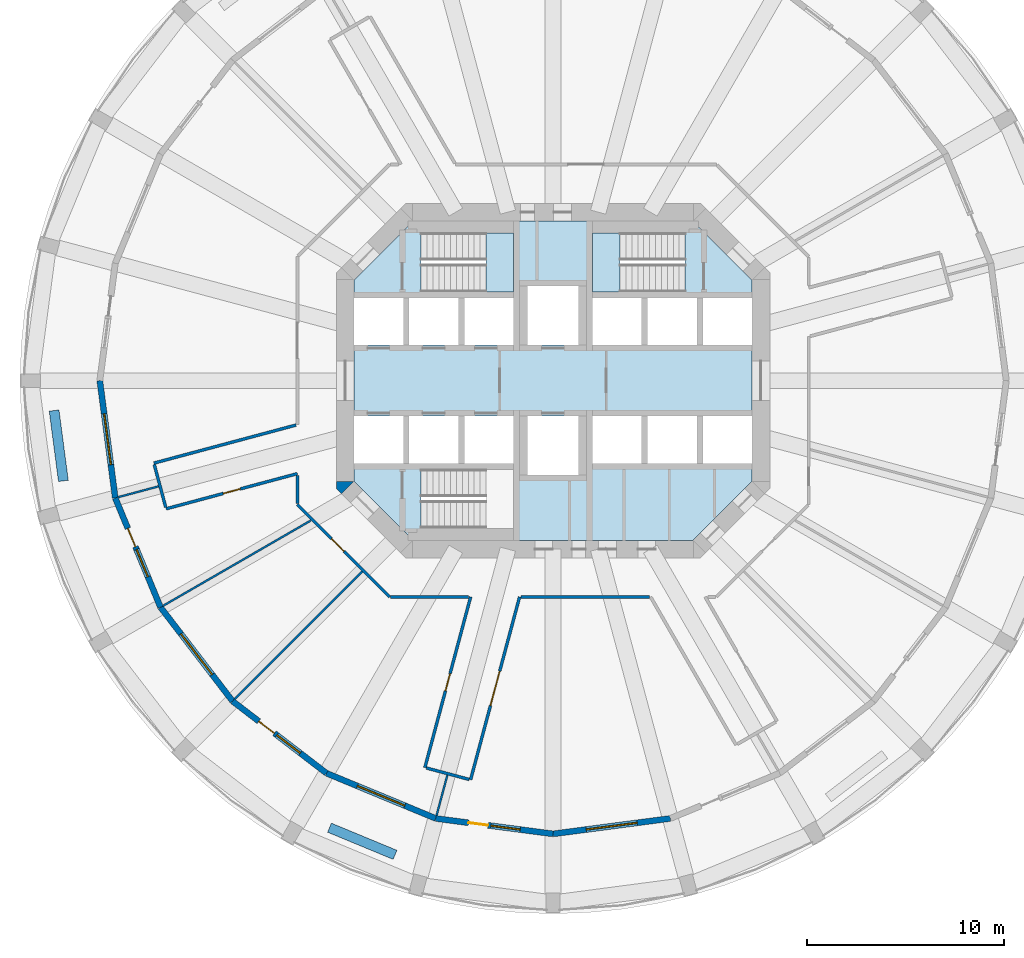
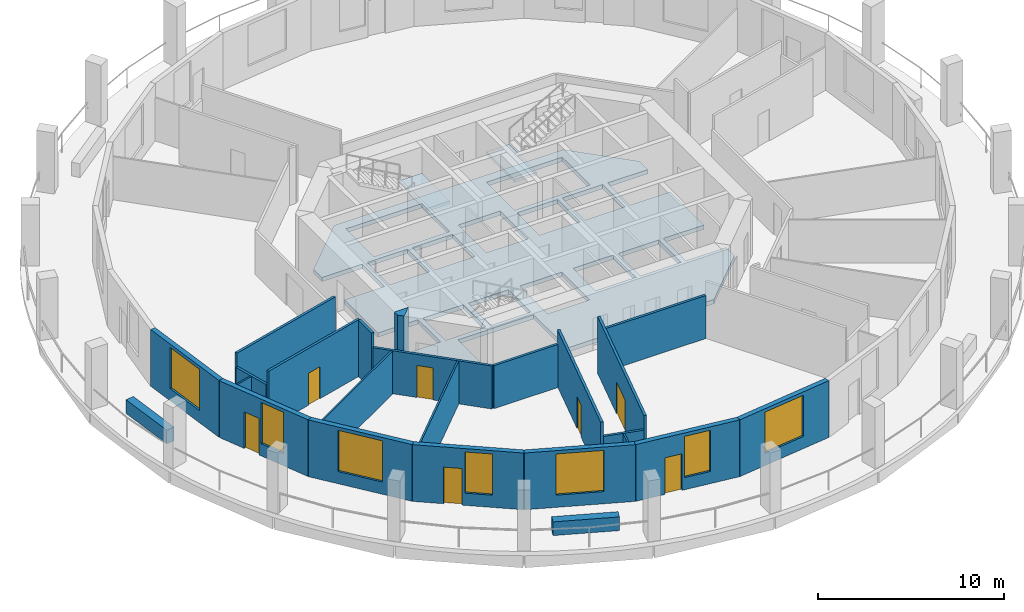
# One storey, part 2 of 9: 24 walls, 7 doors, 7 windows, 3 slabs, 14 openings, 2 elements without a shape of their own.
"""IFC4 building model written with IfcOpenShell, lengths in metres."""

from ifc_helpers import new_model, si_unit, direction, frame, frame_2d, origin, place, context, subcontext, project, spatial, polyline, rectangle, outline, extrude, material, layer, layer_set, type_object, element, fill, aggregate, save


model = new_model("IFC4")

# Units and contexts
model_context = context("Model", 3, precision=1e-05, world=origin(), true_north=direction((0.0, 1.0)))
body_context = subcontext(model_context, "Body", "Model", "MODEL_VIEW")
ifc_project = project(units=[si_unit("LENGTHUNIT", "METRE"), si_unit("AREAUNIT", "SQUARE_METRE"), si_unit("VOLUMEUNIT", "CUBIC_METRE"), si_unit("PLANEANGLEUNIT", "RADIAN"), si_unit("MASSUNIT", "GRAM", prefix="KILO")], contexts=[model_context])

# Site, building, storey
site_placement = place(None, origin())
site = spatial("IfcSite", under=ifc_project, at=site_placement, CompositionType="ELEMENT")
building_placement = place(site_placement, origin())
building = spatial("IfcBuilding", under=site, at=building_placement, Name="Torre Triforio", CompositionType="ELEMENT")
storey_placement = place(building_placement, frame((0.0, 0.0, 63.0)))
storey = spatial("IfcBuildingStorey", under=building, at=storey_placement, Name="L13", CompositionType="ELEMENT", Elevation=63.0)

# Slab
ifc_material_1 = material(Name="Concrete C60", Category="concrete")
ifc_layer_1 = layer(ifc_material_1, 0.280029296875)
ifc_layer_set_1 = layer_set([ifc_layer_1], Name="Concrete C60")
slab_type_1 = type_object("IfcSlabType", Name="Core floor slab 280 mm C60 REI 120", PredefinedType="FLOOR", material=ifc_layer_set_1)
slab_1_placement = place(storey_placement, frame((0.0, 0.0, -0.280029296875)))
element("IfcSlab", 1, at=slab_1_placement, inside=storey, type_object=slab_type_1, Name="Core floor slab", PredefinedType="FLOOR", context=body_context, shape_type="SweptSolid", body=[
    extrude(outline(polyline([(10.10009765625, -5.10009765625), (7.10009765625, -8.10009765625), (-7.10009765625, -8.10009765625), (-10.10009765625, -5.10009765625), (-10.10009765625, -4.199951171875), (-7.60009765625, -4.199951171875), (-7.60009765625, -1.800048828125), (-10.10009765625, -1.800048828125), (-10.10009765625, 1.800048828125), (-7.60009765625, 1.800048828125), (-7.60009765625, 4.199951171875), (-10.10009765625, 4.199951171875), (-10.10009765625, 5.10009765625), (-7.10009765625, 8.10009765625), (7.10009765625, 8.10009765625), (10.10009765625, 5.10009765625), (10.10009765625, 4.199951171875), (7.60009765625, 4.199951171875), (7.60009765625, 1.800048828125), (10.10009765625, 1.800048828125), (10.10009765625, -1.800048828125), (7.60009765625, -1.800048828125), (7.60009765625, -4.199951171875), (10.10009765625, -4.199951171875), (10.10009765625, -5.10009765625)]), holes=[polyline([(-2.0, -4.5), (-6.696044921875, -4.5), (-6.696044921875, -7.5), (-2.0, -7.5), (-2.0, -4.5)]), polyline([(-4.800048828125, -1.800048828125), (-7.300048828125, -1.800048828125), (-7.300048828125, -4.199951171875), (-4.800048828125, -4.199951171875), (-4.800048828125, -1.800048828125)]), polyline([(-2.0, -1.800048828125), (-4.5, -1.800048828125), (-4.5, -4.199951171875), (-2.0, -4.199951171875), (-2.0, -1.800048828125)]), polyline([(-4.800048828125, 4.199951171875), (-7.300048828125, 4.199951171875), (-7.300048828125, 1.800048828125), (-4.800048828125, 1.800048828125), (-4.800048828125, 4.199951171875)]), polyline([(-2.0, 4.199951171875), (-4.5, 4.199951171875), (-4.5, 1.800048828125), (-2.0, 1.800048828125), (-2.0, 4.199951171875)]), polyline([(1.300048828125, 4.800048828125), (-1.300048828125, 4.800048828125), (-1.300048828125, 1.800048828125), (1.300048828125, 1.800048828125), (1.300048828125, 4.800048828125)]), polyline([(-2.0, 7.5), (-6.696044921875, 7.5), (-6.696044921875, 4.5), (-2.0, 4.5), (-2.0, 7.5)]), polyline([(1.300048828125, -1.800048828125), (-1.300048828125, -1.800048828125), (-1.300048828125, -4.800048828125), (1.300048828125, -4.800048828125), (1.300048828125, -1.800048828125)]), polyline([(4.5, -1.800048828125), (2.0, -1.800048828125), (2.0, -4.199951171875), (4.5, -4.199951171875), (4.5, -1.800048828125)]), polyline([(7.300048828125, -1.800048828125), (4.800048828125, -1.800048828125), (4.800048828125, -4.199951171875), (7.300048828125, -4.199951171875), (7.300048828125, -1.800048828125)]), polyline([(4.5, 4.199951171875), (2.0, 4.199951171875), (2.0, 1.800048828125), (4.5, 1.800048828125), (4.5, 4.199951171875)]), polyline([(7.300048828125, 4.199951171875), (4.800048828125, 4.199951171875), (4.800048828125, 1.800048828125), (7.300048828125, 1.800048828125), (7.300048828125, 4.199951171875)]), polyline([(6.696044921875, 4.5), (6.696044921875, 7.5), (2.0, 7.5), (2.0, 4.5), (6.696044921875, 4.5)])]), origin(), (0.0, 0.0, 1.0), 0.280029296875),
])

# Stair, slab
ifc_material_2 = material(Name="Concrete C40", Category="concrete")
stair_type = type_object("IfcStairType", Name="STAIR HALF-TURN", PredefinedType="HALF_TURN_STAIR", material=ifc_material_2)
stair_1_placement = place(storey_placement, origin())
stair_1 = element("IfcStair", 2, at=stair_1_placement, inside=storey, type_object=stair_type, Name="Exit stair 1", PredefinedType="HALF_TURN_STAIR")
ifc_layer_2 = layer(ifc_material_2, 0.199951171875)
ifc_layer_set_2 = layer_set([ifc_layer_2], Name="Concrete C40")
slab_type_2 = type_object("IfcSlabType", Name="STAIR LANDING 200", PredefinedType="LANDING", material=ifc_layer_set_2)
slab_2_placement = place(storey_placement, frame((0.0, 0.0, 1.800048828125)))
slab_2 = element("IfcSlab", 3, at=slab_2_placement, type_object=slab_type_2, Name="ST1 landing 1", PredefinedType="LANDING", context=body_context, shape_type="SweptSolid", body=[
    extrude(outline(polyline([(-2.0, 4.5), (-2.0, 7.5), (-3.39990234375, 7.5), (-3.39990234375, 4.5), (-2.0, 4.5)])), origin(), (0.0, 0.0, 1.0), 0.199951171875),
])
aggregate(stair_1, [slab_2])

stair_2_placement = place(storey_placement, origin())
stair_2 = element("IfcStair", 4, at=stair_2_placement, inside=storey, type_object=stair_type, Name="Exit stair 2", PredefinedType="HALF_TURN_STAIR")
slab_3_placement = place(storey_placement, frame((0.0, 0.0, 1.800048828125)))
slab_3 = element("IfcSlab", 5, at=slab_3_placement, type_object=slab_type_2, Name="ST2 landing 1", PredefinedType="LANDING", context=body_context, shape_type="SweptSolid", body=[
    extrude(outline(polyline([(3.39990234375, 4.5), (3.39990234375, 7.5), (2.0, 7.5), (2.0, 4.5), (3.39990234375, 4.5)])), origin(), (0.0, 0.0, 1.0), 0.199951171875),
])
aggregate(stair_2, [slab_3])

# Walls
ifc_layer_3 = layer(ifc_material_1, 0.89990234375)
ifc_layer_set_3 = layer_set([ifc_layer_3], Name="Concrete C60")
wall_type_1 = type_object("IfcWallType", Name="Core wall 900 mm C60 EI 120", PredefinedType="SHEAR", material=ifc_layer_set_3)
wall_1_placement = place(storey_placement, frame((0.0, 0.0, -0.280029296875)))
element("IfcWall", 6, at=wall_1_placement, inside=storey, type_object=wall_type_1, Name="Core wall", PredefinedType="SHEAR", context=body_context, shape_type="SweptSolid", body=[
    extrude(outline(polyline([(-11.0, -5.472900390625), (-11.0, -5.1298828125), (-10.1298828125, -5.1298828125), (-10.736328125, -5.736328125), (-11.0, -5.472900390625)])), origin(), (0.0, 0.0, 1.0), 4.0),
])
ifc_material_3 = material(Name="Plasterboard on metal studs")
ifc_layer_4 = layer(ifc_material_3, 0.14990234375)
ifc_layer_set_4 = layer_set([ifc_layer_4], Name="Plasterboard on metal studs")
wall_type_2 = type_object("IfcWallType", Name="Corridor and tenancy wall 150 mm EI 60", PredefinedType="PARTITIONING", material=ifc_layer_set_4)
wall_2_placement = place(storey_placement, frame((-19.65380859375, -6.430908203125, 0.0), z_axis=(0.0, 0.0, 1.0), x_axis=(-0.258891558609, 0.965906393436, 0.0)))
element("IfcWall", 7, at=wall_2_placement, inside=storey, type_object=wall_type_2, Name="Partition 1", PredefinedType="PARTITIONING", context=body_context, shape_type="SweptSolid", body=[
    extrude(rectangle(XDim=2.25, YDim=0.14990234375, at=frame_2d((1.125, 0.0))), origin(), (0.0, 0.0, 1.0), 2.820068359375),
])
wall_3_placement = place(storey_placement, frame((-20.255615234375, -4.185302734375, 0.0), z_axis=(0.0, 0.0, 1.0), x_axis=(0.965924840231, 0.258822725092, 0.0)))
element("IfcWall", 8, at=wall_3_placement, inside=storey, type_object=wall_type_2, Name="Partition 2", PredefinedType="PARTITIONING", context=body_context, shape_type="SweptSolid", body=[
    extrude(rectangle(XDim=7.465087890625, YDim=0.14990234375, at=frame_2d((3.732421875, 0.0))), origin(), (0.0, 0.0, 1.0), 3.719970703125),
])
wall_4_placement = place(storey_placement, frame((4.8857421875, -10.97509765625, 0.0), z_axis=(0.0, 0.0, 1.0), x_axis=(-1.0, 0.0, 0.0)))
element("IfcWall", 9, at=wall_4_placement, inside=storey, type_object=wall_type_2, Name="Partition 21", PredefinedType="PARTITIONING", context=body_context, shape_type="SweptSolid", body=[
    extrude(rectangle(XDim=6.51171875, YDim=0.14990234375, at=frame_2d((3.255859375, 0.0))), origin(), (0.0, 0.0, 1.0), 2.820068359375),
])

# Wall, opening, door
wall_5_placement = place(storey_placement, frame((-1.698486328125, -10.97509765625, 0.0), z_axis=(0.0, 0.0, 1.0), x_axis=(-0.258829650889, -0.965922984415, 0.0)))
wall_5 = element("IfcWall", 10, at=wall_5_placement, inside=storey, type_object=wall_type_2, Name="Partition 22", PredefinedType="PARTITIONING", context=body_context, shape_type="SweptSolid", body=[
    extrude(rectangle(XDim=9.60791015625, YDim=0.14990234375, at=frame_2d((4.803955078125, 0.0))), origin(), (0.0, 0.0, 1.0), 3.719970703125),
])
opening_1_placement = place(wall_5_placement, frame((3.904052734375, 0.0, 0.0)))
opening_1 = element("IfcOpeningElement", 11, at=opening_1_placement, cuts=wall_5, Name="Opening N4-05", PredefinedType="OPENING", context=body_context, shape_type="SweptSolid", body=[
    extrude(rectangle(XDim=1.800048828125, YDim=2.10009765625, at=frame_2d((0.89990234375, 1.050048828125))), frame((0.0, 0.0849609375, 0.0), z_axis=(0.0, -1.0, 0.0), x_axis=(1.0, 0.0, 0.0)), (0.0, 0.0, 1.0), 0.169921875),
])
ifc_material_4 = material(Name="Timber", Category="wood")
door_type_1 = type_object("IfcDoorType", Name="Door 1800 x 2100 double leaf EI 30", OperationType="DOUBLE_DOOR_SINGLE_SWING", PredefinedType="DOOR", material=ifc_material_4)
door_1_placement = place(opening_1_placement, origin())
door_1 = element("IfcDoor", 12, at=door_1_placement, inside=storey, type_object=door_type_1, Name="Door N4-05", OperationType="DOUBLE_DOOR_SINGLE_SWING", OverallHeight=2.10009765625, OverallWidth=1.800048828125, PredefinedType="DOOR", context=body_context, shape_type="SweptSolid", body=[
    extrude(rectangle(XDim=1.800048828125, YDim=2.10009765625, at=frame_2d((0.89990234375, 1.050048828125))), frame((0.0, 0.02490234375, 0.0), z_axis=(0.0, -1.0, 0.0), x_axis=(1.0, 0.0, 0.0)), (0.0, 0.0, 1.0), 0.050048828125),
])
fill(opening_1, door_1)

# Wall
wall_6_placement = place(storey_placement, frame((-4.257568359375, -20.236328125, 0.0), z_axis=(0.0, 0.0, 1.0), x_axis=(-0.965906393436, 0.258891558609, 0.0)))
element("IfcWall", 13, at=wall_6_placement, inside=storey, type_object=wall_type_2, Name="Partition 23", PredefinedType="PARTITIONING", context=body_context, shape_type="SweptSolid", body=[
    extrude(rectangle(XDim=2.25, YDim=0.14990234375, at=frame_2d((1.125, 0.0))), origin(), (0.0, 0.0, 1.0), 2.820068359375),
])

# Wall, opening, door
wall_7_placement = place(storey_placement, frame((-6.50341796875, -19.634521484375, 0.0), z_axis=(0.0, 0.0, 1.0), x_axis=(0.258821842436, 0.965925076742, 0.0)))
wall_7 = element("IfcWall", 14, at=wall_7_placement, inside=storey, type_object=wall_type_2, Name="Partition 24", PredefinedType="PARTITIONING", context=body_context, shape_type="SweptSolid", body=[
    extrude(rectangle(XDim=8.96484375, YDim=0.14990234375, at=frame_2d((4.482421875, 0.0))), origin(), (0.0, 0.0, 1.0), 3.719970703125),
])
opening_2_placement = place(wall_7_placement, frame((4.032470703125, 0.0, 0.0)))
opening_2 = element("IfcOpeningElement", 15, at=opening_2_placement, cuts=wall_7, Name="Opening N4-04", PredefinedType="OPENING", context=body_context, shape_type="SweptSolid", body=[
    extrude(rectangle(XDim=0.89990234375, YDim=2.10009765625, at=frame_2d((0.449951171875, 1.050048828125))), frame((0.0, 0.0849609375, 0.0), z_axis=(0.0, -1.0, 0.0), x_axis=(1.0, 0.0, 0.0)), (0.0, 0.0, 1.0), 0.169921875),
])
door_type_2 = type_object("IfcDoorType", Name="Door 900 x 2100 single leaf EI 30", OperationType="NOTDEFINED", PredefinedType="DOOR", material=ifc_material_4)
door_2_placement = place(opening_2_placement, origin())
door_2 = element("IfcDoor", 16, at=door_2_placement, inside=storey, type_object=door_type_2, Name="Door N4-04", OperationType="SINGLE_SWING_RIGHT", OverallHeight=2.10009765625, OverallWidth=0.89990234375, PredefinedType="DOOR", context=body_context, shape_type="SweptSolid", body=[
    extrude(rectangle(XDim=0.89990234375, YDim=2.10009765625, at=frame_2d((0.449951171875, 1.050048828125))), frame((0.0, 0.02490234375, 0.0), z_axis=(0.0, -1.0, 0.0), x_axis=(1.0, 0.0, 0.0)), (0.0, 0.0, 1.0), 0.050048828125),
])
fill(opening_2, door_2)

# Wall
wall_8_placement = place(storey_placement, frame((-4.280517578125, -10.97509765625, 0.0), z_axis=(0.0, 0.0, 1.0), x_axis=(-1.0, 0.0, 0.0)))
element("IfcWall", 17, at=wall_8_placement, inside=storey, type_object=wall_type_2, Name="Partition 25", PredefinedType="PARTITIONING", context=body_context, shape_type="SweptSolid", body=[
    extrude(rectangle(XDim=3.957763671875, YDim=0.14990234375, at=frame_2d((1.97900390625, 0.0))), origin(), (0.0, 0.0, 1.0), 2.820068359375),
])

# Wall, opening, door
wall_9_placement = place(storey_placement, frame((-8.291015625, -10.97509765625, 0.0), z_axis=(0.0, 0.0, 1.0), x_axis=(-0.707106781187, 0.707106781187, 0.0)))
wall_9 = element("IfcWall", 18, at=wall_9_placement, inside=storey, type_object=wall_type_2, Name="Partition 26", PredefinedType="PARTITIONING", context=body_context, shape_type="SweptSolid", body=[
    extrude(rectangle(XDim=6.624267578125, YDim=0.14990234375, at=frame_2d((3.31201171875, 0.0))), origin(), (0.0, 0.0, 1.0), 2.820068359375),
])
opening_3_placement = place(wall_9_placement, frame((3.27392578125, 0.0, 0.0)))
opening_3 = element("IfcOpeningElement", 19, at=opening_3_placement, cuts=wall_9, Name="Opening N4-03", PredefinedType="OPENING", context=body_context, shape_type="SweptSolid", body=[
    extrude(rectangle(XDim=0.89990234375, YDim=2.10009765625, at=frame_2d((0.449951171875, 1.050048828125))), frame((0.0, 0.0849609375, 0.0), z_axis=(0.0, -1.0, 0.0), x_axis=(1.0, 0.0, 0.0)), (0.0, 0.0, 1.0), 0.169921875),
])
door_3_placement = place(opening_3_placement, origin())
door_3 = element("IfcDoor", 20, at=door_3_placement, inside=storey, type_object=door_type_2, Name="Door N4-03", OperationType="SINGLE_SWING_LEFT", OverallHeight=2.10009765625, OverallWidth=0.89990234375, PredefinedType="DOOR", context=body_context, shape_type="SweptSolid", body=[
    extrude(rectangle(XDim=0.89990234375, YDim=2.10009765625, at=frame_2d((0.449951171875, 1.050048828125))), frame((0.0, 0.02490234375, 0.0), z_axis=(0.0, -1.0, 0.0), x_axis=(1.0, 0.0, 0.0)), (0.0, 0.0, 1.0), 0.050048828125),
])
fill(opening_3, door_3)

# Wall
wall_10_placement = place(storey_placement, frame((-12.97509765625, -6.23828125, 0.0), z_axis=(0.0, 0.0, 1.0), x_axis=(0.0, 1.0, 0.0)))
element("IfcWall", 21, at=wall_10_placement, inside=storey, type_object=wall_type_2, Name="Partition 27", PredefinedType="PARTITIONING", context=body_context, shape_type="SweptSolid", body=[
    extrude(rectangle(XDim=1.421875, YDim=0.14990234375, at=frame_2d((0.7109375, 0.0))), origin(), (0.0, 0.0, 1.0), 3.719970703125),
])

# Wall, opening, door
wall_11_placement = place(storey_placement, frame((-12.97509765625, -4.718994140625, 0.0), z_axis=(0.0, 0.0, 1.0), x_axis=(-0.965924499418, -0.258823997003, 0.0)))
wall_11 = element("IfcWall", 22, at=wall_11_placement, inside=storey, type_object=wall_type_2, Name="Partition 28", PredefinedType="PARTITIONING", context=body_context, shape_type="SweptSolid", body=[
    extrude(rectangle(XDim=6.894287109375, YDim=0.14990234375, at=frame_2d((3.447265625, 0.0))), origin(), (0.0, 0.0, 1.0), 3.719970703125),
])
opening_4_placement = place(wall_11_placement, frame((2.997314453125, 0.0, 0.0)))
opening_4 = element("IfcOpeningElement", 23, at=opening_4_placement, cuts=wall_11, Name="Opening N4-02", PredefinedType="OPENING", context=body_context, shape_type="SweptSolid", body=[
    extrude(rectangle(XDim=0.89990234375, YDim=2.10009765625, at=frame_2d((0.449951171875, 1.050048828125))), frame((0.0, 0.0849609375, 0.0), z_axis=(0.0, -1.0, 0.0), x_axis=(1.0, 0.0, 0.0)), (0.0, 0.0, 1.0), 0.169921875),
])
door_4_placement = place(opening_4_placement, origin())
door_4 = element("IfcDoor", 24, at=door_4_placement, inside=storey, type_object=door_type_2, Name="Door N4-02", OperationType="SINGLE_SWING_LEFT", OverallHeight=2.10009765625, OverallWidth=0.89990234375, PredefinedType="DOOR", context=body_context, shape_type="SweptSolid", body=[
    extrude(rectangle(XDim=0.89990234375, YDim=2.10009765625, at=frame_2d((0.449951171875, 1.050048828125))), frame((0.0, 0.02490234375, 0.0), z_axis=(0.0, -1.0, 0.0), x_axis=(1.0, 0.0, 0.0)), (0.0, 0.0, 1.0), 0.050048828125),
])
fill(opening_4, door_4)

# Walls
ifc_layer_5 = layer(ifc_material_3, 0.10009765625)
ifc_layer_set_5 = layer_set([ifc_layer_5], Name="Plasterboard on metal studs")
wall_type_3 = type_object("IfcWallType", Name="Partition 100 mm board on metal studs", PredefinedType="PARTITIONING", material=ifc_layer_set_5)
wall_12_placement = place(storey_placement, frame((-20.017578125, -5.36376953125, 0.0), z_axis=(0.0, 0.0, 1.0), x_axis=(-0.965927422152, -0.258813089189, 0.0)))
element("IfcWall", 25, at=wall_12_placement, inside=storey, type_object=wall_type_3, Name="Partition 33", PredefinedType="PARTITIONING", context=body_context, shape_type="SweptSolid", body=[
    extrude(rectangle(XDim=2.113037109375, YDim=0.10009765625, at=frame_2d((1.056640625, 0.0))), origin(), (0.0, 0.0, 1.0), 2.820068359375),
])
wall_13_placement = place(storey_placement, frame((-12.294189453125, -7.097900390625, 0.0), z_axis=(0.0, 0.0, 1.0), x_axis=(-0.866010547425, -0.500025731086, 0.0)))
element("IfcWall", 26, at=wall_13_placement, inside=storey, type_object=wall_type_3, Name="Partition 34", PredefinedType="PARTITIONING", context=body_context, shape_type="SweptSolid", body=[
    extrude(rectangle(XDim=8.640625, YDim=0.10009765625, at=frame_2d((4.3203125, 0.0))), origin(), (0.0, 0.0, 1.0), 2.820068359375),
])
wall_14_placement = place(storey_placement, frame((-9.68603515625, -9.68603515625, 0.0), z_axis=(0.0, 0.0, 1.0), x_axis=(-0.707106781187, -0.707106781187, 0.0)))
element("IfcWall", 27, at=wall_14_placement, inside=storey, type_object=wall_type_3, Name="Partition 35", PredefinedType="PARTITIONING", context=body_context, shape_type="SweptSolid", body=[
    extrude(rectangle(XDim=9.138427734375, YDim=0.10009765625, at=frame_2d((4.5693359375, 0.0))), origin(), (0.0, 0.0, 1.0), 2.820068359375),
])
wall_15_placement = place(storey_placement, frame((-5.36376953125, -20.017578125, 0.0), z_axis=(0.0, 0.0, 1.0), x_axis=(-0.258813089189, -0.965927422152, 0.0)))
element("IfcWall", 28, at=wall_15_placement, inside=storey, type_object=wall_type_3, Name="Partition 36", PredefinedType="PARTITIONING", context=body_context, shape_type="SweptSolid", body=[
    extrude(rectangle(XDim=2.113037109375, YDim=0.10009765625, at=frame_2d((1.056640625, 0.0))), origin(), (0.0, 0.0, 1.0), 2.820068359375),
])
ifc_material_5 = material(Name="Limestone cladding", Category="masonry")
ifc_layer_6 = layer(ifc_material_5, 0.10009765625)
ifc_layer_7 = layer(ifc_material_2, 0.39990234375)
ifc_layer_set_6 = layer_set([ifc_layer_6, ifc_layer_7], Name="Limestone cladding / Concrete C40")
wall_type_4 = type_object("IfcWallType", Name="Planter wall 500", PredefinedType="PARAPET", material=ifc_layer_set_6)
for number, where, z_axis, x_axis, name in (
    (29, (-25.318603515625, -1.517578125, 0.0), (0.0, 0.0, 1.0), (0.130542222659, -0.991442750795, 0.0), "Planter L13 bay 13"),
    (30, (-11.344970703125, -22.685302734375, 0.0), (0.0, 0.0, 1.0), (0.923885420167, -0.382669217998, 0.0), "Planter L13 bay 17"),
):
    element("IfcWall", number, at=place(storey_placement, frame(where, z_axis=z_axis, x_axis=x_axis)), inside=storey, type_object=wall_type_4, Name=name, PredefinedType="PARAPET", context=body_context, shape_type="SweptSolid", body=[
        extrude(rectangle(XDim=3.60009765625, YDim=0.5, at=frame_2d((1.800048828125, 0.0))), origin(), (0.0, 0.0, 1.0), 0.89990234375),
    ])

# Wall, opening, window
ifc_layer_8 = layer(ifc_material_5, 0.10009765625)
ifc_layer_9 = layer(ifc_material_2, 0.199951171875)
ifc_layer_set_7 = layer_set([ifc_layer_8, ifc_layer_9], Name="Limestone cladding / Concrete C40")
wall_type_5 = type_object("IfcWallType", Name="Stone-faced composite wall 300", PredefinedType="STANDARD", material=ifc_layer_set_7)
wall_16_placement = place(storey_placement, frame((-23.0, 0.0, 0.0), z_axis=(0.0, 0.0, 1.0), x_axis=(0.130522880875, -0.991445297315, 0.0)))
wall_16 = element("IfcWall", 31, at=wall_16_placement, inside=storey, type_object=wall_type_5, Name="External wall L13 bay 13", PredefinedType="STANDARD", context=body_context, shape_type="SweptSolid", body=[
    extrude(rectangle(XDim=6.004150390625, YDim=0.300048828125, at=frame_2d((3.001953125, 0.0))), origin(), (0.0, 0.0, 1.0), 3.719970703125),
])
opening_5_placement = place(wall_16_placement, frame((1.7021484375, 0.0, 0.800048828125)))
opening_5 = element("IfcOpeningElement", 32, at=opening_5_placement, cuts=wall_16, Name="Opening N4-W13", PredefinedType="OPENING", context=body_context, shape_type="SweptSolid", body=[
    extrude(rectangle(XDim=2.60009765625, YDim=2.699951171875, at=frame_2d((1.300048828125, 1.35009765625))), frame((0.0, 0.159912109375, 0.0), z_axis=(0.0, -1.0, 0.0), x_axis=(1.0, 0.0, 0.0)), (0.0, 0.0, 1.0), 0.320068359375),
])
ifc_material_6 = material(Name="Aluminium frame with clear double glazing", Category="aluminium")
window_type_1 = type_object("IfcWindowType", Name="Punched window 2600 x 2700", PartitioningType="DOUBLE_PANEL_VERTICAL", PredefinedType="WINDOW", material=ifc_material_6)
window_1_placement = place(opening_5_placement, origin())
window_1 = element("IfcWindow", 33, at=window_1_placement, inside=storey, type_object=window_type_1, Name="Window EWN2 L13 bay 13", OverallHeight=2.699951171875, OverallWidth=2.60009765625, PartitioningType="SINGLE_PANEL", PredefinedType="WINDOW", context=body_context, shape_type="SweptSolid", body=[
    extrude(rectangle(XDim=2.60009765625, YDim=2.699951171875, at=frame_2d((1.300048828125, 1.35009765625))), frame((0.0, 0.030029296875, 0.0), z_axis=(0.0, -1.0, 0.0), x_axis=(1.0, 0.0, 0.0)), (0.0, 0.0, 1.0), 0.06005859375),
])
fill(opening_5, window_1)

# Wall, openings, door, window
wall_17_placement = place(storey_placement, frame((-22.21630859375, -5.952880859375, 0.0), z_axis=(0.0, 0.0, 1.0), x_axis=(0.382671411433, -0.923884511653, 0.0)))
wall_17 = element("IfcWall", 34, at=wall_17_placement, inside=storey, type_object=wall_type_5, Name="External wall L13 bay 14", PredefinedType="STANDARD", context=body_context, shape_type="SweptSolid", body=[
    extrude(rectangle(XDim=6.004150390625, YDim=0.300048828125, at=frame_2d((3.001953125, 0.0))), origin(), (0.0, 0.0, 1.0), 3.719970703125),
])
opening_6_placement = place(wall_17_placement, frame((1.677001953125, 0.0, 0.0)))
opening_6 = element("IfcOpeningElement", 35, at=opening_6_placement, cuts=wall_17, Name="Opening N4-D14", PredefinedType="OPENING", context=body_context, shape_type="SweptSolid", body=[
    extrude(rectangle(XDim=1.0, YDim=2.39990234375, at=frame_2d((0.5, 1.199951171875))), frame((0.0, 0.159912109375, 0.0), z_axis=(0.0, -1.0, 0.0), x_axis=(1.0, 0.0, 0.0)), (0.0, 0.0, 1.0), 0.320068359375),
])
opening_7_placement = place(wall_17_placement, frame((2.8271484375, 0.0, 0.800048828125)))
opening_7 = element("IfcOpeningElement", 36, at=opening_7_placement, cuts=wall_17, Name="Opening N4-W14A", PredefinedType="OPENING", context=body_context, shape_type="SweptSolid", body=[
    extrude(rectangle(XDim=1.5, YDim=2.699951171875, at=frame_2d((0.75, 1.35009765625))), frame((0.0, 0.159912109375, 0.0), z_axis=(0.0, -1.0, 0.0), x_axis=(1.0, 0.0, 0.0)), (0.0, 0.0, 1.0), 0.320068359375),
])
door_type_3 = type_object("IfcDoorType", Name="Loggia door 1000 x 2400", OperationType="NOTDEFINED", PredefinedType="DOOR", material=ifc_material_6)
door_5_placement = place(opening_6_placement, origin())
door_5 = element("IfcDoor", 37, at=door_5_placement, inside=storey, type_object=door_type_3, Name="Loggia door L13 bay 14", OperationType="SINGLE_SWING_LEFT", OverallHeight=2.39990234375, OverallWidth=1.0, PredefinedType="DOOR", context=body_context, shape_type="SweptSolid", body=[
    extrude(rectangle(XDim=1.0, YDim=2.39990234375, at=frame_2d((0.5, 1.199951171875))), frame((0.0, 0.02490234375, 0.0), z_axis=(0.0, -1.0, 0.0), x_axis=(1.0, 0.0, 0.0)), (0.0, 0.0, 1.0), 0.050048828125),
])
fill(opening_6, door_5)
window_type_2 = type_object("IfcWindowType", Name="Side window 1500 x 2700", PartitioningType="SINGLE_PANEL", PredefinedType="WINDOW", material=ifc_material_6)
window_2_placement = place(opening_7_placement, origin())
window_2 = element("IfcWindow", 38, at=window_2_placement, inside=storey, type_object=window_type_2, Name="Side window EWN12 L13 bay 14", OverallHeight=2.699951171875, OverallWidth=1.5, PartitioningType="SINGLE_PANEL", PredefinedType="WINDOW", context=body_context, shape_type="SweptSolid", body=[
    extrude(rectangle(XDim=1.5, YDim=2.699951171875, at=frame_2d((0.75, 1.35009765625))), frame((0.0, 0.030029296875, 0.0), z_axis=(0.0, -1.0, 0.0), x_axis=(1.0, 0.0, 0.0)), (0.0, 0.0, 1.0), 0.06005859375),
])
fill(opening_7, window_2)

# Wall, opening, window
wall_18_placement = place(storey_placement, frame((-19.918701171875, -11.5, 0.0), z_axis=(0.0, 0.0, 1.0), x_axis=(0.608778912074, -0.793339924758, 0.0)))
wall_18 = element("IfcWall", 39, at=wall_18_placement, inside=storey, type_object=wall_type_5, Name="External wall L13 bay 15", PredefinedType="STANDARD", context=body_context, shape_type="SweptSolid", body=[
    extrude(rectangle(XDim=6.004150390625, YDim=0.300048828125, at=frame_2d((3.001953125, 0.0))), origin(), (0.0, 0.0, 1.0), 3.719970703125),
])
opening_8_placement = place(wall_18_placement, frame((1.7021484375, 0.0, 0.800048828125)))
opening_8 = element("IfcOpeningElement", 40, at=opening_8_placement, cuts=wall_18, Name="Opening N4-W15", PredefinedType="OPENING", context=body_context, shape_type="SweptSolid", body=[
    extrude(rectangle(XDim=2.60009765625, YDim=2.699951171875, at=frame_2d((1.300048828125, 1.35009765625))), frame((0.0, 0.159912109375, 0.0), z_axis=(0.0, -1.0, 0.0), x_axis=(1.0, 0.0, 0.0)), (0.0, 0.0, 1.0), 0.320068359375),
])
window_3_placement = place(opening_8_placement, origin())
window_3 = element("IfcWindow", 41, at=window_3_placement, inside=storey, type_object=window_type_1, Name="Window EWN2 L13 bay 15", OverallHeight=2.699951171875, OverallWidth=2.60009765625, PartitioningType="SINGLE_PANEL", PredefinedType="WINDOW", context=body_context, shape_type="SweptSolid", body=[
    extrude(rectangle(XDim=2.60009765625, YDim=2.699951171875, at=frame_2d((1.300048828125, 1.35009765625))), frame((0.0, 0.030029296875, 0.0), z_axis=(0.0, -1.0, 0.0), x_axis=(1.0, 0.0, 0.0)), (0.0, 0.0, 1.0), 0.06005859375),
])
fill(opening_8, window_3)

# Wall, openings, door, window
wall_19_placement = place(storey_placement, frame((-16.263427734375, -16.263427734375, 0.0), z_axis=(0.0, 0.0, 1.0), x_axis=(0.793339924758, -0.608778912074, 0.0)))
wall_19 = element("IfcWall", 42, at=wall_19_placement, inside=storey, type_object=wall_type_5, Name="External wall L13 bay 16", PredefinedType="STANDARD", context=body_context, shape_type="SweptSolid", body=[
    extrude(rectangle(XDim=6.004150390625, YDim=0.300048828125, at=frame_2d((3.001953125, 0.0))), origin(), (0.0, 0.0, 1.0), 3.719970703125),
])
opening_9_placement = place(wall_19_placement, frame((1.677001953125, 0.0, 0.0)))
opening_9 = element("IfcOpeningElement", 43, at=opening_9_placement, cuts=wall_19, Name="Opening N4-D16", PredefinedType="OPENING", context=body_context, shape_type="SweptSolid", body=[
    extrude(rectangle(XDim=1.0, YDim=2.39990234375, at=frame_2d((0.5, 1.199951171875))), frame((0.0, 0.159912109375, 0.0), z_axis=(0.0, -1.0, 0.0), x_axis=(1.0, 0.0, 0.0)), (0.0, 0.0, 1.0), 0.320068359375),
])
opening_10_placement = place(wall_19_placement, frame((2.8271484375, 0.0, 0.800048828125)))
opening_10 = element("IfcOpeningElement", 44, at=opening_10_placement, cuts=wall_19, Name="Opening N4-W16A", PredefinedType="OPENING", context=body_context, shape_type="SweptSolid", body=[
    extrude(rectangle(XDim=1.5, YDim=2.699951171875, at=frame_2d((0.75, 1.35009765625))), frame((0.0, 0.159912109375, 0.0), z_axis=(0.0, -1.0, 0.0), x_axis=(1.0, 0.0, 0.0)), (0.0, 0.0, 1.0), 0.320068359375),
])
door_6_placement = place(opening_9_placement, origin())
door_6 = element("IfcDoor", 45, at=door_6_placement, inside=storey, type_object=door_type_3, Name="Loggia door L13 bay 16", OperationType="SINGLE_SWING_LEFT", OverallHeight=2.39990234375, OverallWidth=1.0, PredefinedType="DOOR", context=body_context, shape_type="SweptSolid", body=[
    extrude(rectangle(XDim=1.0, YDim=2.39990234375, at=frame_2d((0.5, 1.199951171875))), frame((0.0, 0.02490234375, 0.0), z_axis=(0.0, -1.0, 0.0), x_axis=(1.0, 0.0, 0.0)), (0.0, 0.0, 1.0), 0.050048828125),
])
fill(opening_9, door_6)
window_4_placement = place(opening_10_placement, origin())
window_4 = element("IfcWindow", 46, at=window_4_placement, inside=storey, type_object=window_type_2, Name="Side window EWN12 L13 bay 16", OverallHeight=2.699951171875, OverallWidth=1.5, PartitioningType="SINGLE_PANEL", PredefinedType="WINDOW", context=body_context, shape_type="SweptSolid", body=[
    extrude(rectangle(XDim=1.5, YDim=2.699951171875, at=frame_2d((0.75, 1.35009765625))), frame((0.0, 0.030029296875, 0.0), z_axis=(0.0, -1.0, 0.0), x_axis=(1.0, 0.0, 0.0)), (0.0, 0.0, 1.0), 0.06005859375),
])
fill(opening_10, window_4)

# Wall, opening, window
wall_20_placement = place(storey_placement, frame((-11.5, -19.918701171875, 0.0), z_axis=(0.0, 0.0, 1.0), x_axis=(0.923884511653, -0.382671411433, 0.0)))
wall_20 = element("IfcWall", 47, at=wall_20_placement, inside=storey, type_object=wall_type_5, Name="External wall L13 bay 17", PredefinedType="STANDARD", context=body_context, shape_type="SweptSolid", body=[
    extrude(rectangle(XDim=6.004150390625, YDim=0.300048828125, at=frame_2d((3.001953125, 0.0))), origin(), (0.0, 0.0, 1.0), 3.719970703125),
])
opening_11_placement = place(wall_20_placement, frame((1.7021484375, 0.0, 0.800048828125)))
opening_11 = element("IfcOpeningElement", 48, at=opening_11_placement, cuts=wall_20, Name="Opening N4-W17", PredefinedType="OPENING", context=body_context, shape_type="SweptSolid", body=[
    extrude(rectangle(XDim=2.60009765625, YDim=2.699951171875, at=frame_2d((1.300048828125, 1.35009765625))), frame((0.0, 0.159912109375, 0.0), z_axis=(0.0, -1.0, 0.0), x_axis=(1.0, 0.0, 0.0)), (0.0, 0.0, 1.0), 0.320068359375),
])
window_5_placement = place(opening_11_placement, origin())
window_5 = element("IfcWindow", 49, at=window_5_placement, inside=storey, type_object=window_type_1, Name="Window EWN2 L13 bay 17", OverallHeight=2.699951171875, OverallWidth=2.60009765625, PartitioningType="SINGLE_PANEL", PredefinedType="WINDOW", context=body_context, shape_type="SweptSolid", body=[
    extrude(rectangle(XDim=2.60009765625, YDim=2.699951171875, at=frame_2d((1.300048828125, 1.35009765625))), frame((0.0, 0.030029296875, 0.0), z_axis=(0.0, -1.0, 0.0), x_axis=(1.0, 0.0, 0.0)), (0.0, 0.0, 1.0), 0.06005859375),
])
fill(opening_11, window_5)

# Wall, openings, door, window
wall_21_placement = place(storey_placement, frame((-5.952880859375, -22.21630859375, 0.0), z_axis=(0.0, 0.0, 1.0), x_axis=(0.991445297315, -0.130522880875, 0.0)))
wall_21 = element("IfcWall", 50, at=wall_21_placement, inside=storey, type_object=wall_type_5, Name="External wall L13 bay 18", PredefinedType="STANDARD", context=body_context, shape_type="SweptSolid", body=[
    extrude(rectangle(XDim=6.004150390625, YDim=0.300048828125, at=frame_2d((3.001953125, 0.0))), origin(), (0.0, 0.0, 1.0), 3.719970703125),
])
opening_12_placement = place(wall_21_placement, frame((1.677001953125, 0.0, 0.0)))
opening_12 = element("IfcOpeningElement", 51, at=opening_12_placement, cuts=wall_21, Name="Opening N4-D18", PredefinedType="OPENING", context=body_context, shape_type="SweptSolid", body=[
    extrude(rectangle(XDim=1.0, YDim=2.39990234375, at=frame_2d((0.5, 1.199951171875))), frame((0.0, 0.159912109375, 0.0), z_axis=(0.0, -1.0, 0.0), x_axis=(1.0, 0.0, 0.0)), (0.0, 0.0, 1.0), 0.320068359375),
])
opening_13_placement = place(wall_21_placement, frame((2.8271484375, 0.0, 0.800048828125)))
opening_13 = element("IfcOpeningElement", 52, at=opening_13_placement, cuts=wall_21, Name="Opening N4-W18A", PredefinedType="OPENING", context=body_context, shape_type="SweptSolid", body=[
    extrude(rectangle(XDim=1.5, YDim=2.699951171875, at=frame_2d((0.75, 1.35009765625))), frame((0.0, 0.159912109375, 0.0), z_axis=(0.0, -1.0, 0.0), x_axis=(1.0, 0.0, 0.0)), (0.0, 0.0, 1.0), 0.320068359375),
])
door_7_placement = place(opening_12_placement, origin())
door_7 = element("IfcDoor", 53, at=door_7_placement, inside=storey, type_object=door_type_3, Name="Loggia door L13 bay 18", OperationType="SINGLE_SWING_LEFT", OverallHeight=2.39990234375, OverallWidth=1.0, PredefinedType="DOOR", context=body_context, shape_type="SweptSolid", body=[
    extrude(rectangle(XDim=1.0, YDim=2.39990234375, at=frame_2d((0.5, 1.199951171875))), frame((0.0, 0.02490234375, 0.0), z_axis=(0.0, -1.0, 0.0), x_axis=(1.0, 0.0, 0.0)), (0.0, 0.0, 1.0), 0.050048828125),
])
fill(opening_12, door_7)
window_6_placement = place(opening_13_placement, origin())
window_6 = element("IfcWindow", 54, at=window_6_placement, inside=storey, type_object=window_type_2, Name="Side window EWN12 L13 bay 18", OverallHeight=2.699951171875, OverallWidth=1.5, PartitioningType="SINGLE_PANEL", PredefinedType="WINDOW", context=body_context, shape_type="SweptSolid", body=[
    extrude(rectangle(XDim=1.5, YDim=2.699951171875, at=frame_2d((0.75, 1.35009765625))), frame((0.0, 0.030029296875, 0.0), z_axis=(0.0, -1.0, 0.0), x_axis=(1.0, 0.0, 0.0)), (0.0, 0.0, 1.0), 0.06005859375),
])
fill(opening_13, window_6)

# Wall, opening, window
wall_22_placement = place(storey_placement, frame((0.0, -23.0, 0.0), z_axis=(0.0, 0.0, 1.0), x_axis=(0.991445297315, 0.130522880875, 0.0)))
wall_22 = element("IfcWall", 55, at=wall_22_placement, inside=storey, type_object=wall_type_5, Name="External wall L13 bay 19", PredefinedType="STANDARD", context=body_context, shape_type="SweptSolid", body=[
    extrude(rectangle(XDim=6.004150390625, YDim=0.300048828125, at=frame_2d((3.001953125, 0.0))), origin(), (0.0, 0.0, 1.0), 3.719970703125),
])
opening_14_placement = place(wall_22_placement, frame((1.7021484375, 0.0, 0.800048828125)))
opening_14 = element("IfcOpeningElement", 56, at=opening_14_placement, cuts=wall_22, Name="Opening N4-W19", PredefinedType="OPENING", context=body_context, shape_type="SweptSolid", body=[
    extrude(rectangle(XDim=2.60009765625, YDim=2.699951171875, at=frame_2d((1.300048828125, 1.35009765625))), frame((0.0, 0.159912109375, 0.0), z_axis=(0.0, -1.0, 0.0), x_axis=(1.0, 0.0, 0.0)), (0.0, 0.0, 1.0), 0.320068359375),
])
window_7_placement = place(opening_14_placement, origin())
window_7 = element("IfcWindow", 57, at=window_7_placement, inside=storey, type_object=window_type_1, Name="Window EWN2 L13 bay 19", OverallHeight=2.699951171875, OverallWidth=2.60009765625, PartitioningType="SINGLE_PANEL", PredefinedType="WINDOW", context=body_context, shape_type="SweptSolid", body=[
    extrude(rectangle(XDim=2.60009765625, YDim=2.699951171875, at=frame_2d((1.300048828125, 1.35009765625))), frame((0.0, 0.030029296875, 0.0), z_axis=(0.0, -1.0, 0.0), x_axis=(1.0, 0.0, 0.0)), (0.0, 0.0, 1.0), 0.06005859375),
])
fill(opening_14, window_7)

save(model, "model.ifc")
